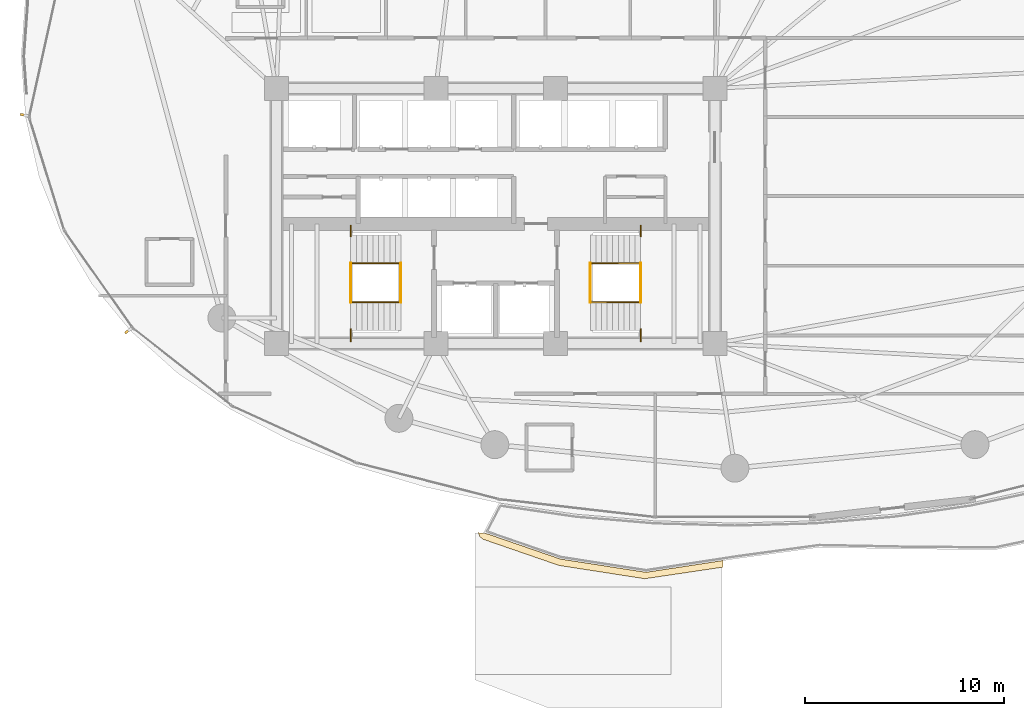
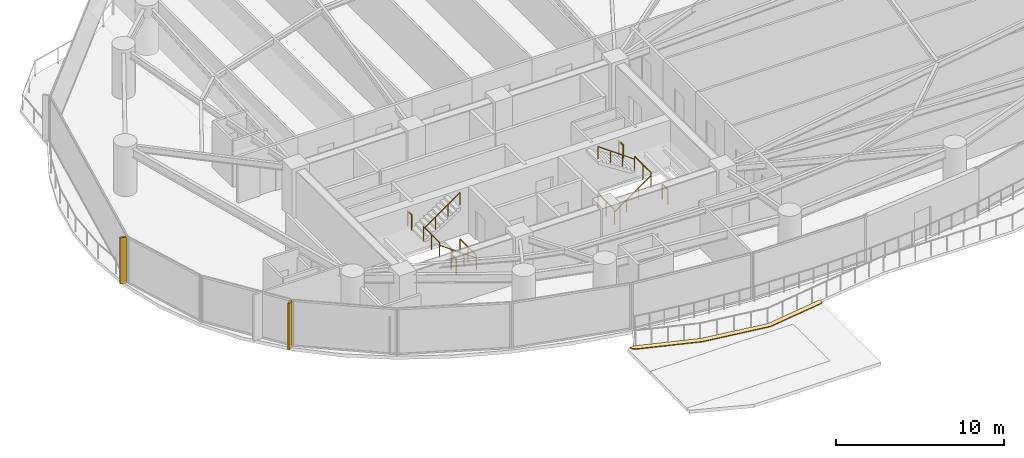
# One storey, part 29 of 32: 12 railings, 2 shading devices, 1 covering.
"""IFC4 building model written with IfcOpenShell, lengths in metres."""

from ifc_helpers import new_model, si_unit, direction, frame, origin, origin_2d, place, context, subcontext, project, spatial, polyline, rectangle, outline, extrude, material, layer, layer_set, type_object, element, save


model = new_model("IFC4")

# Units and contexts
model_context = context("Model", 3, precision=1e-05, world=origin(), true_north=direction((0.0, 1.0)))
body_context = subcontext(model_context, "Body", "Model", "MODEL_VIEW")
ifc_project = project(units=[si_unit("LENGTHUNIT", "METRE"), si_unit("AREAUNIT", "SQUARE_METRE"), si_unit("VOLUMEUNIT", "CUBIC_METRE"), si_unit("PLANEANGLEUNIT", "RADIAN"), si_unit("MASSUNIT", "GRAM", prefix="KILO")], contexts=[model_context])

# Site, building, storey
site_placement = place(None, origin())
site = spatial("IfcSite", under=ifc_project, at=site_placement, CompositionType="ELEMENT")
building_placement = place(site_placement, origin())
building = spatial("IfcBuilding", under=site, at=building_placement, Name="Kazevale Care Tower and Concert Hall", CompositionType="ELEMENT")
storey_placement = place(building_placement, frame((0.0, 0.0, 24.0)))
storey = spatial("IfcBuildingStorey", under=building, at=storey_placement, Name="L05", CompositionType="ELEMENT", Elevation=24.0)

# Covering
ifc_material_1 = material(Name="EPDM Roofing Membrane")
ifc_layer = layer(ifc_material_1, 0.080078125)
ifc_layer_set = layer_set([ifc_layer], Name="EPDM Roofing Membrane")
covering_type = type_object("IfcCoveringType", Name="Inverted Insulated EPDM Roofing Membrane", PredefinedType="ROOFING", material=ifc_layer_set)
covering_placement = place(storey_placement, origin())
element("IfcCovering", 1, at=covering_placement, inside=storey, type_object=covering_type, Name="cov:L05:roof_strip:1", PredefinedType="ROOFING", context=body_context, shape_type="SweptSolid", body=[
    extrude(outline(polyline([(32.5869140625, 14.054931640625), (32.123046875, 14.117919921875), (32.212890625, 13.909912109375), (32.376953125, 13.781005859375), (36.172119140625, 12.471923828125), (40.47900390625, 11.803955078125), (44.39501953125, 12.385009765625), (44.39501953125, 12.718017578125), (40.544921875, 12.1279296875), (36.251953125, 12.7919921875), (32.5869140625, 14.054931640625)])), origin(), (0.0, 0.0, 1.0), 0.06005859375),
])

# Railings
ifc_material_2 = material(Name="Stainless Steel 316", Category="steel")
railing_type_1 = type_object("IfcRailingType", Name="Stair Pitch Handrail 920", PredefinedType="HANDRAIL", material=ifc_material_2)
railing_1_placement = place(storey_placement, frame((28.25, 25.679931640625, 0.0)))
element("IfcRailing", 2, at=railing_1_placement, inside=storey, type_object=railing_type_1, Name="stair:L05:ST1:hr1", PredefinedType="HANDRAIL", context=body_context, shape_type="SweptSolid", body=[
    extrude(rectangle(XDim=0.048095703125, YDim=0.048095703125, at=origin_2d()), frame((0.0, 0.0, 0.89599609375), z_axis=(-0.813728144527, 0.0, 0.581245650998), x_axis=(0.0, -1.0, 0.0)), (0.0, 0.0, 1.0), 3.096923828125),
    extrude(rectangle(XDim=0.0419921875, YDim=0.0419921875, at=origin_2d()), origin(), (0.0, 0.0, 1.0), 0.871826171875),
    extrude(rectangle(XDim=0.0419921875, YDim=0.0419921875, at=origin_2d()), frame((-0.840087890625, 0.0, 0.60009765625)), (0.0, 0.0, 1.0), 0.871826171875),
    extrude(rectangle(XDim=0.0419921875, YDim=0.0419921875, at=origin_2d()), frame((-1.679931640625, 0.0, 1.199951171875)), (0.0, 0.0, 1.0), 0.871826171875),
    extrude(rectangle(XDim=0.0419921875, YDim=0.0419921875, at=origin_2d()), frame((-2.52001953125, 0.0, 1.800048828125)), (0.0, 0.0, 1.0), 0.871826171875),
])
for number, where, name in (
    (3, (25.72998046875, 27.6201171875, 1.800048828125), "stair:L05:ST1:hr2"),
    (4, (37.75, 25.679931640625, 0.0), "stair:L05:ST2:hr1"),
):
    element("IfcRailing", number, at=place(storey_placement, frame(where)), inside=storey, type_object=railing_type_1, Name=name, PredefinedType="HANDRAIL", context=body_context, shape_type="SweptSolid", body=[
        extrude(rectangle(XDim=0.048095703125, YDim=0.048095703125, at=origin_2d()), frame((0.0, 0.0, 0.89599609375), z_axis=(0.813728144527, 0.0, 0.581245650998), x_axis=(0.0, 1.0, 0.0)), (0.0, 0.0, 1.0), 3.096923828125),
        extrude(rectangle(XDim=0.0419921875, YDim=0.0419921875, at=origin_2d()), origin(), (0.0, 0.0, 1.0), 0.871826171875),
        extrude(rectangle(XDim=0.0419921875, YDim=0.0419921875, at=origin_2d()), frame((0.840087890625, 0.0, 0.60009765625)), (0.0, 0.0, 1.0), 0.871826171875),
        extrude(rectangle(XDim=0.0419921875, YDim=0.0419921875, at=origin_2d()), frame((1.679931640625, 0.0, 1.199951171875)), (0.0, 0.0, 1.0), 0.871826171875),
        extrude(rectangle(XDim=0.0419921875, YDim=0.0419921875, at=origin_2d()), frame((2.52001953125, 0.0, 1.800048828125)), (0.0, 0.0, 1.0), 0.871826171875),
    ])
railing_2_placement = place(storey_placement, frame((40.27001953125, 27.6201171875, 1.800048828125)))
element("IfcRailing", 5, at=railing_2_placement, inside=storey, type_object=railing_type_1, Name="stair:L05:ST2:hr2", PredefinedType="HANDRAIL", context=body_context, shape_type="SweptSolid", body=[
    extrude(rectangle(XDim=0.048095703125, YDim=0.048095703125, at=origin_2d()), frame((0.0, 0.0, 0.89599609375), z_axis=(-0.813728144527, 0.0, 0.581245650998), x_axis=(0.0, -1.0, 0.0)), (0.0, 0.0, 1.0), 3.096923828125),
    extrude(rectangle(XDim=0.0419921875, YDim=0.0419921875, at=origin_2d()), origin(), (0.0, 0.0, 1.0), 0.871826171875),
    extrude(rectangle(XDim=0.0419921875, YDim=0.0419921875, at=origin_2d()), frame((-0.840087890625, 0.0, 0.60009765625)), (0.0, 0.0, 1.0), 0.871826171875),
    extrude(rectangle(XDim=0.0419921875, YDim=0.0419921875, at=origin_2d()), frame((-1.679931640625, 0.0, 1.199951171875)), (0.0, 0.0, 1.0), 0.871826171875),
    extrude(rectangle(XDim=0.0419921875, YDim=0.0419921875, at=origin_2d()), frame((-2.52001953125, 0.0, 1.800048828125)), (0.0, 0.0, 1.0), 0.871826171875),
])
railing_type_2 = type_object("IfcRailingType", Name="Stair Well Guard Balustrade 1120", PredefinedType="BALUSTRADE", material=ifc_material_2)
railing_3_placement = place(storey_placement, frame((25.72998046875, 23.699951171875, 1.800048828125)))
element("IfcRailing", 6, at=railing_3_placement, inside=storey, type_object=railing_type_2, Name="stair:L05:ST1:grd_side1", PredefinedType="BALUSTRADE", context=body_context, shape_type="SweptSolid", body=[
    extrude(rectangle(XDim=0.048095703125, YDim=0.048095703125, at=origin_2d()), frame((0.0, 0.0, 1.09619140625), z_axis=(0.0, 1.0, 0.0), x_axis=(-1.0, 0.0, 0.0)), (0.0, 0.0, 1.0), 0.610107421875),
    extrude(rectangle(XDim=0.0419921875, YDim=0.0419921875, at=origin_2d()), origin(), (0.0, 0.0, 1.0), 1.072021484375),
    extrude(rectangle(XDim=0.0419921875, YDim=0.0419921875, at=origin_2d()), frame((0.0, 0.610107421875, 0.0)), (0.0, 0.0, 1.0), 1.072021484375),
])
railing_4_placement = place(storey_placement, frame((25.72998046875, 28.989990234375, 1.800048828125)))
element("IfcRailing", 7, at=railing_4_placement, inside=storey, type_object=railing_type_2, Name="stair:L05:ST1:grd_side2", PredefinedType="BALUSTRADE", context=body_context, shape_type="SweptSolid", body=[
    extrude(rectangle(XDim=0.048095703125, YDim=0.048095703125, at=origin_2d()), frame((0.0, 0.0, 1.09619140625), z_axis=(0.0, 1.0, 0.0), x_axis=(-1.0, 0.0, 0.0)), (0.0, 0.0, 1.0), 0.510009765625),
    extrude(rectangle(XDim=0.0419921875, YDim=0.0419921875, at=origin_2d()), origin(), (0.0, 0.0, 1.0), 1.072021484375),
    extrude(rectangle(XDim=0.0419921875, YDim=0.0419921875, at=origin_2d()), frame((0.0, 0.510009765625, 0.0)), (0.0, 0.0, 1.0), 1.072021484375),
])
for number, where, name in (
    (8, (25.72998046875, 25.679931640625, 1.800048828125), "stair:L05:ST1:grd_mid"),
    (9, (28.25, 25.679931640625, 0.0), "stair:L05:ST1:grd_flr"),
):
    element("IfcRailing", number, at=place(storey_placement, frame(where)), inside=storey, type_object=railing_type_2, Name=name, PredefinedType="BALUSTRADE", context=body_context, shape_type="SweptSolid", body=[
        extrude(rectangle(XDim=0.048095703125, YDim=0.048095703125, at=origin_2d()), frame((0.0, 0.0, 1.09619140625), z_axis=(0.0, 1.0, 0.0), x_axis=(-1.0, 0.0, 0.0)), (0.0, 0.0, 1.0), 1.940185546875),
        extrude(rectangle(XDim=0.0419921875, YDim=0.0419921875, at=origin_2d()), origin(), (0.0, 0.0, 1.0), 1.072021484375),
        extrude(rectangle(XDim=0.0419921875, YDim=0.0419921875, at=origin_2d()), frame((0.0, 0.97021484375, 0.0)), (0.0, 0.0, 1.0), 1.072021484375),
        extrude(rectangle(XDim=0.0419921875, YDim=0.0419921875, at=origin_2d()), frame((0.0, 1.940185546875, 0.0)), (0.0, 0.0, 1.0), 1.072021484375),
    ])
railing_5_placement = place(storey_placement, frame((40.27001953125, 23.699951171875, 1.800048828125)))
element("IfcRailing", 10, at=railing_5_placement, inside=storey, type_object=railing_type_2, Name="stair:L05:ST2:grd_side1", PredefinedType="BALUSTRADE", context=body_context, shape_type="SweptSolid", body=[
    extrude(rectangle(XDim=0.048095703125, YDim=0.048095703125, at=origin_2d()), frame((0.0, 0.0, 1.09619140625), z_axis=(0.0, 1.0, 0.0), x_axis=(-1.0, 0.0, 0.0)), (0.0, 0.0, 1.0), 0.610107421875),
    extrude(rectangle(XDim=0.0419921875, YDim=0.0419921875, at=origin_2d()), origin(), (0.0, 0.0, 1.0), 1.072021484375),
    extrude(rectangle(XDim=0.0419921875, YDim=0.0419921875, at=origin_2d()), frame((0.0, 0.610107421875, 0.0)), (0.0, 0.0, 1.0), 1.072021484375),
])
railing_6_placement = place(storey_placement, frame((40.27001953125, 28.989990234375, 1.800048828125)))
element("IfcRailing", 11, at=railing_6_placement, inside=storey, type_object=railing_type_2, Name="stair:L05:ST2:grd_side2", PredefinedType="BALUSTRADE", context=body_context, shape_type="SweptSolid", body=[
    extrude(rectangle(XDim=0.048095703125, YDim=0.048095703125, at=origin_2d()), frame((0.0, 0.0, 1.09619140625), z_axis=(0.0, 1.0, 0.0), x_axis=(-1.0, 0.0, 0.0)), (0.0, 0.0, 1.0), 0.510009765625),
    extrude(rectangle(XDim=0.0419921875, YDim=0.0419921875, at=origin_2d()), origin(), (0.0, 0.0, 1.0), 1.072021484375),
    extrude(rectangle(XDim=0.0419921875, YDim=0.0419921875, at=origin_2d()), frame((0.0, 0.510009765625, 0.0)), (0.0, 0.0, 1.0), 1.072021484375),
])
for number, where, name in (
    (12, (40.27001953125, 25.679931640625, 1.800048828125), "stair:L05:ST2:grd_mid"),
    (13, (37.75, 25.679931640625, 0.0), "stair:L05:ST2:grd_flr"),
):
    element("IfcRailing", number, at=place(storey_placement, frame(where)), inside=storey, type_object=railing_type_2, Name=name, PredefinedType="BALUSTRADE", context=body_context, shape_type="SweptSolid", body=[
        extrude(rectangle(XDim=0.048095703125, YDim=0.048095703125, at=origin_2d()), frame((0.0, 0.0, 1.09619140625), z_axis=(0.0, 1.0, 0.0), x_axis=(-1.0, 0.0, 0.0)), (0.0, 0.0, 1.0), 1.940185546875),
        extrude(rectangle(XDim=0.0419921875, YDim=0.0419921875, at=origin_2d()), origin(), (0.0, 0.0, 1.0), 1.072021484375),
        extrude(rectangle(XDim=0.0419921875, YDim=0.0419921875, at=origin_2d()), frame((0.0, 0.97021484375, 0.0)), (0.0, 0.0, 1.0), 1.072021484375),
        extrude(rectangle(XDim=0.0419921875, YDim=0.0419921875, at=origin_2d()), frame((0.0, 1.940185546875, 0.0)), (0.0, 0.0, 1.0), 1.072021484375),
    ])

# Shading devices
ifc_material_3 = material(Name="Honed Ochre Limestone", Category="masonry")
shading_device_type = type_object("IfcShadingDeviceType", Name="Vertical Honed Limestone Fin FIN-01", PredefinedType="USERDEFINED", material=ifc_material_3)
for number, where, z_axis, x_axis, name in (
    (14, (14.5693359375, 24.23779296875, 0.0), (0.0, 0.0, 1.0), (-0.817547124842, -0.575861700985, 0.0), "cw:L05:f11:fin"),
    (15, (9.34326171875, 35.056884765625, 0.0), (0.0, 0.0, 1.0), (-0.97629600712, 0.216439613938, 0.0), "cw:L05:f13:fin"),
):
    element("IfcShadingDevice", number, at=place(storey_placement, frame(where, z_axis=z_axis, x_axis=x_axis)), inside=storey, type_object=shading_device_type, Name=name, ObjectType="FIN", PredefinedType="USERDEFINED", context=body_context, shape_type="SweptSolid", body=[
        extrude(rectangle(XDim=0.3798828125, YDim=0.1201171875, at=origin_2d()), origin(), (0.0, 0.0, 1.0), 3.360107421875),
    ])

save(model, "model.ifc")
